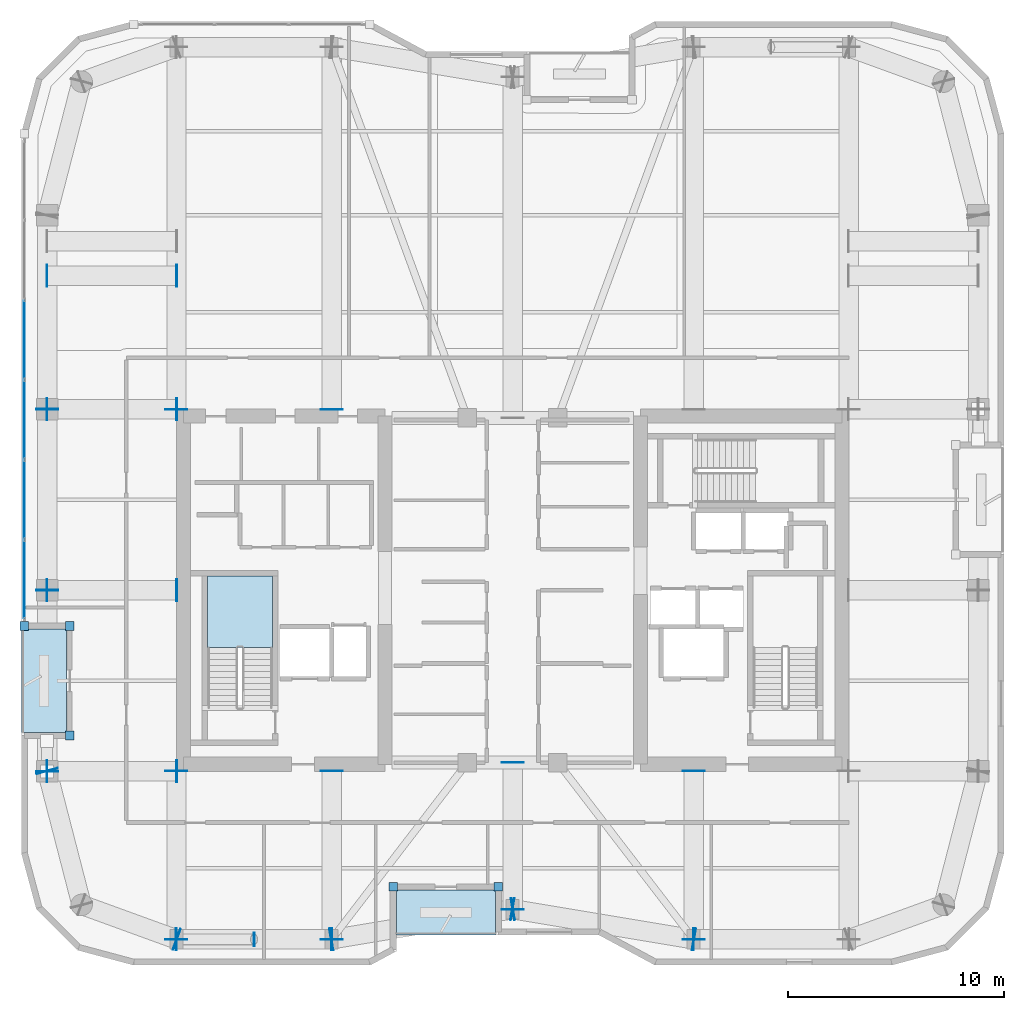
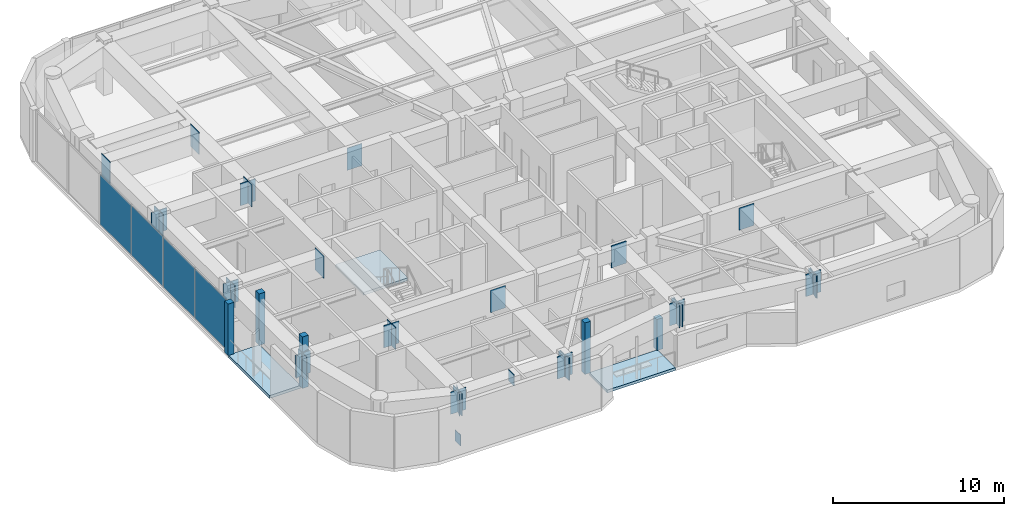
# One storey, part 12 of 21: 43 plates, 3 slabs, 2 elements without a shape of their own.
"""IFC4 building model written with IfcOpenShell, lengths in metres."""

import ifcopenshell
import ifcopenshell.guid

model = None  # the IFC model being written
_history = None  # IfcOwnerHistory: only IFC2X3 demands one
_inside = {}  # id of a spatial element -> (the spatial element, [elements in it])
_under = {}  # id of a project, library or spatial element -> (it, [spatial elements below it])
_declared = {}  # id of a project -> (the project, [libraries it declares])
_typed = {}  # id of a type object -> (the type object, [elements of that type])
_made_of = {}  # id of a material, layer set ... -> (it, [elements and type objects made of it])


def new_model(schema):
    """Start an empty IFC model of exactly this schema.

    Asked for "IFC4X3", IfcOpenShell would pick the latest addendum, in which some entities
    have other attributes; the version numbers below select the first issue.
    IFC2X3 requires an IfcOwnerHistory on every rooted entity: one is made here for all.
    """
    global model, _history
    if schema == "IFC4X3":
        model = ifcopenshell.file(schema_version=(4, 3, 0, 0))
    else:
        model = ifcopenshell.file(schema=schema)
    _inside.clear()
    _under.clear()
    _declared.clear()
    _typed.clear()
    _made_of.clear()
    _history = None
    if model.schema == "IFC2X3":
        org = make("IfcOrganization", Name="unknown")
        user = make(
            "IfcPersonAndOrganization",
            ThePerson=make("IfcPerson", FamilyName="unknown"),
            TheOrganization=org,
        )
        app = make(
            "IfcApplication",
            ApplicationDeveloper=org,
            Version="unknown",
            ApplicationFullName="unknown",
            ApplicationIdentifier="unknown",
        )
        _history = make(
            "IfcOwnerHistory",
            OwningUser=user,
            OwningApplication=app,
            ChangeAction="ADDED",
            CreationDate=0,
        )
    return model


def make(cls, **values):
    """One entity of the class cls with the attributes given. An attribute that is None is left unset."""
    return model.create_entity(
        cls, **{name: value for name, value in values.items() if value is not None}
    )


def rooted(cls, **values):
    """An entity with a GlobalId (a new one), such as an element, a storey or a relation."""
    return make(cls, GlobalId=ifcopenshell.guid.new(), OwnerHistory=_history, **values)


def si_unit(unit_type, name, prefix=None):
    """IfcSIUnit, for example si_unit("LENGTHUNIT", "METRE", prefix="MILLI")."""
    return make("IfcSIUnit", UnitType=unit_type, Prefix=prefix, Name=name)


def assignment(units):
    """IfcUnitAssignment: the units of a project."""
    return None if units is None else make("IfcUnitAssignment", Units=units)


def point(xyz):
    """IfcCartesianPoint."""
    return None if xyz is None else make("IfcCartesianPoint", Coordinates=xyz)


def direction(xyz):
    """IfcDirection."""
    return None if xyz is None else make("IfcDirection", DirectionRatios=xyz)


def frame(location, z_axis=None, x_axis=None):
    """IfcAxis2Placement3D, a coordinate frame: its origin and axes. An axis left out is left unset."""
    return make(
        "IfcAxis2Placement3D",
        Location=point(location),
        Axis=direction(z_axis),
        RefDirection=direction(x_axis),
    )


def frame_2d(location, x_axis=None):
    """IfcAxis2Placement2D, a coordinate frame in the plane: its origin and x axis."""
    return make(
        "IfcAxis2Placement2D", Location=point(location), RefDirection=direction(x_axis)
    )


def origin():
    """The frame at (0, 0, 0) with its axes left unset."""
    return frame((0.0, 0.0, 0.0))


def origin_2d():
    """The frame at (0, 0) in the plane with its x axis left unset."""
    return frame_2d((0.0, 0.0))


def place(relative_to, where):
    """IfcLocalPlacement: puts the frame where relative to a parent placement (None: the world)."""
    return make(
        "IfcLocalPlacement", PlacementRelTo=relative_to, RelativePlacement=where
    )


def context(
    kind, dimensions, precision=None, world=None, true_north=None, identifier=None
):
    """IfcGeometricRepresentationContext, for example the 3D "Model" context."""
    return make(
        "IfcGeometricRepresentationContext",
        ContextIdentifier=identifier,
        ContextType=kind,
        CoordinateSpaceDimension=dimensions,
        Precision=precision,
        WorldCoordinateSystem=world,
        TrueNorth=true_north,
    )


def subcontext(parent, identifier, kind, view, scale=None):
    """IfcGeometricRepresentationSubContext, for example "Body" below "Model"."""
    return make(
        "IfcGeometricRepresentationSubContext",
        ContextIdentifier=identifier,
        ContextType=kind,
        ParentContext=parent,
        TargetScale=scale,
        TargetView=view,
    )


def project(units=None, contexts=None):
    """IfcProject with its units and contexts."""
    return rooted(
        "IfcProject",
        Name="project",
        RepresentationContexts=contexts,
        UnitsInContext=assignment(units),
    )


def spatial(cls, under=None, at=None, **own):
    """A site, building, storey or space (cls), placed at a placement, below another one or the project."""
    s = rooted(cls, ObjectPlacement=at, **own)
    if under is not None:
        _under.setdefault(under.id(), (under, []))[1].append(s)
    return s


def polyline(points):
    """IfcPolyline through the points."""
    return make("IfcPolyline", Points=[point(p) for p in points])


def profile(cls, at=None, kind="AREA", **sizes):
    """A parametric profile (cls). Its sizes go by their IFC names, for example OverallWidth=200.0."""
    return make(cls, ProfileType=kind, Position=at, **sizes)


def rectangle(**sizes):
    """IfcRectangleProfileDef."""
    return profile("IfcRectangleProfileDef", **sizes)


def outline(outer, holes=None, kind="AREA"):
    """IfcArbitraryClosedProfileDef: a profile drawn as a closed curve; with holes, ...WithVoids."""
    if holes is None:
        return make("IfcArbitraryClosedProfileDef", ProfileType=kind, OuterCurve=outer)
    return make(
        "IfcArbitraryProfileDefWithVoids",
        ProfileType=kind,
        OuterCurve=outer,
        InnerCurves=holes,
    )


def extrude(swept, where, along, depth):
    """IfcExtrudedAreaSolid: the profile swept, set in the frame where, extruded along a direction by depth."""
    return make(
        "IfcExtrudedAreaSolid",
        SweptArea=swept,
        Position=where,
        ExtrudedDirection=direction(along),
        Depth=depth,
    )


def shape(context_of_items, identifier, shape_type, items):
    """IfcShapeRepresentation: the items that make up one representation, for example the "Body"."""
    return make(
        "IfcShapeRepresentation",
        ContextOfItems=context_of_items,
        RepresentationIdentifier=identifier,
        RepresentationType=shape_type,
        Items=items,
    )


def material(Name=None, Category=None):
    """IfcMaterial."""
    return make("IfcMaterial", Name=Name, Category=Category)


def layer(
    of_material, thickness, ventilated=None, Name=None, Category=None, Priority=None
):
    """IfcMaterialLayer: one layer of a wall or slab, of a material (None: an air gap)."""
    return make(
        "IfcMaterialLayer",
        Material=of_material,
        LayerThickness=thickness,
        IsVentilated=ventilated,
        Name=Name,
        Category=Category,
        Priority=Priority,
    )


def layer_set(layers, Name=None):
    """IfcMaterialLayerSet."""
    return make("IfcMaterialLayerSet", MaterialLayers=layers, LayerSetName=Name)


def made_of(thing, what):
    """Note that an element or type object is made of a material, layer set ...; save() writes the relation."""
    if what is not None:
        _made_of.setdefault(what.id(), (what, []))[1].append(thing)
    return thing


def type_object(cls, material=None, **own):
    """A type object (cls), such as IfcWallType, which elements share."""
    return made_of(rooted(cls, **own), material)


def element(
    cls,
    number,
    at=None,
    inside=None,
    cuts=None,
    type_object=None,
    material=None,
    context=None,
    identifier="Body",
    shape_type=None,
    held_by="IfcProductDefinitionShape",
    body=None,
    shapes=None,
    **own,
):
    """One element of the class cls, such as IfcWall. Its Tag is "e" and its number.

    at: its placement. inside: the storey or other place that contains it. cuts: it is an
    opening in that element (IfcRelVoidsElement). A single representation is given by context,
    identifier, shape_type and body (its items); several are given by shapes. held_by: the class
    of the entity that holds the representations. save() writes the other relations.
    """
    e = rooted(cls, Tag="e%d" % number, ObjectPlacement=at, **own)
    if body is not None:
        shapes = [shape(context, identifier, shape_type, body)]
    if shapes is not None:
        e.Representation = make(held_by, Representations=shapes)
    if inside is not None:
        _inside.setdefault(inside.id(), (inside, []))[1].append(e)
    if cuts is not None:
        rooted(
            "IfcRelVoidsElement", RelatingBuildingElement=cuts, RelatedOpeningElement=e
        )
    if type_object is not None:
        _typed.setdefault(type_object.id(), (type_object, []))[1].append(e)
    return made_of(e, material)


def aggregate(whole, parts):
    """IfcRelAggregates: a whole, such as a stair, and the parts it consists of."""
    return rooted("IfcRelAggregates", RelatingObject=whole, RelatedObjects=parts)


def save(model, path):
    """Write the relations noted so far, then the file.

    IfcRelAggregates (storeys below a building ...), IfcRelContainedInSpatialStructure (elements
    in a storey), IfcRelDefinesByType, IfcRelAssociatesMaterial and IfcRelDeclares: one each for
    every whole, place, type object, material and project.
    """
    for whole, parts in _under.values():
        aggregate(whole, parts)
    for where, things in _inside.values():
        rooted(
            "IfcRelContainedInSpatialStructure",
            RelatedElements=things,
            RelatingStructure=where,
        )
    for kind, things in _typed.values():
        rooted("IfcRelDefinesByType", RelatedObjects=things, RelatingType=kind)
    for what, things in _made_of.values():
        rooted("IfcRelAssociatesMaterial", RelatedObjects=things, RelatingMaterial=what)
    for by, libraries in _declared.values():
        rooted("IfcRelDeclares", RelatingContext=by, RelatedDefinitions=libraries)
    model.write(path)


model = new_model("IFC4")

# Units and contexts
model_context = context("Model", 3, precision=1e-05, world=origin(), true_north=direction((0.0, 1.0)))
body_context = subcontext(model_context, "Body", "Model", "MODEL_VIEW")
ifc_project = project(units=[si_unit("LENGTHUNIT", "METRE"), si_unit("AREAUNIT", "SQUARE_METRE"), si_unit("VOLUMEUNIT", "CUBIC_METRE"), si_unit("PLANEANGLEUNIT", "RADIAN"), si_unit("MASSUNIT", "GRAM", prefix="KILO")], contexts=[model_context])

# Site, building, storey
site_placement = place(None, origin())
site = spatial("IfcSite", under=ifc_project, at=site_placement, CompositionType="ELEMENT")
building_placement = place(site_placement, origin())
building = spatial("IfcBuilding", under=site, at=building_placement, Name="Kiyonajd Concourse Tower", CompositionType="ELEMENT")
storey_placement = place(building_placement, frame((0.0, 0.0, 251.10009765625)))
storey = spatial("IfcBuildingStorey", under=building, at=storey_placement, Name="L63", CompositionType="ELEMENT", Elevation=251.10009765625)

# Plates
ifc_material_1 = material(Name="Steel ASTM A572 Grade 50", Category="steel")
ifc_layer_1 = layer(ifc_material_1, 0.028076171875)
ifc_layer_set_1 = layer_set([ifc_layer_1], Name="Steel ASTM A572 Grade 50")
plate_type_1 = type_object("IfcPlateType", Name="PL-CAP-450", PredefinedType="USERDEFINED", material=ifc_layer_set_1)
for number, where, z_axis, x_axis, name in (
    (1, (32.3916015625, 19.800048828125, -0.109375), (0.0, 0.0, 1.0), (-1.0, 0.0, 0.0), "L63 Hollow Brace End Cap Plate PBS"),
    (2, (36.00830078125, 19.800048828125, 2.93505859375), (0.0, 0.0, 1.0), (1.0, 0.0, 0.0), "L63 Hollow Brace Top Cap Plate PBS"),
):
    element("IfcPlate", number, at=place(storey_placement, frame(where, z_axis=z_axis, x_axis=x_axis)), inside=storey, type_object=plate_type_1, Name=name, ObjectType="CAP PLATE", PredefinedType="USERDEFINED", context=body_context, shape_type="SweptSolid", body=[
        extrude(rectangle(XDim=0.035888671875, YDim=0.6279296875, at=origin_2d()), origin(), (0.0, 0.0, 1.0), 0.803955078125),
    ])
ifc_layer_2 = layer(ifc_material_1, 0.031982421875)
ifc_layer_set_2 = layer_set([ifc_layer_2], Name="Steel ASTM A572 Grade 50")
plate_type_2 = type_object("IfcPlateType", Name="PL-CAP-540", PredefinedType="USERDEFINED", material=ifc_layer_set_2)
for number, where, z_axis, x_axis, name in (
    (3, (26.388916015625, 50.60009765625, 2.15966796875), (0.0, 0.0, 1.0), (-1.0, 0.0, 0.0), "L63 Transfer Box Cap Plate"),
    (4, (32.410888671875, 50.60009765625, 2.15966796875), (0.0, 0.0, 1.0), (1.0, 0.0, 0.0), "L63 Transfer Box Cap Plate"),
    (5, (26.397216796875, 27.610595703125, 2.15966796875), (0.0, 0.0, 1.0), (-0.249873048837, 0.968278606324, 0.0), "L63 Welded Box Girder End Cap"),
    (6, (32.410400390625, 19.796142578125, 2.15966796875), (0.0, 0.0, 1.0), (0.939811951086, -0.341692107891, 0.0), "L63 Welded Box Girder End Cap"),
    (7, (32.388916015625, 19.800048828125, 2.15966796875), (0.0, 0.0, 1.0), (-1.0, 0.0, 0.0), "L63 Welded Box Girder End Cap"),
    (8, (39.611083984375, 19.800048828125, 2.15966796875), (0.0, 0.0, 1.0), (1.0, 0.0, 0.0), "L63 Welded Box Girder End Cap"),
    (9, (39.589111328125, 19.798095703125, 2.15966796875), (0.0, 0.0, 1.0), (-0.986400586142, -0.164359008451, 0.0), "L63 Welded Box Girder End Cap"),
    (10, (48.010986328125, 21.201904296875, 2.15966796875), (0.0, 0.0, 1.0), (0.986400586142, 0.164359008451, 0.0), "L63 Welded Box Girder End Cap"),
    (11, (47.989013671875, 21.201904296875, 2.15966796875), (0.0, 0.0, 1.0), (-0.986400586142, 0.164359008451, 0.0), "L63 Welded Box Girder End Cap"),
    (12, (56.410888671875, 19.798095703125, 2.15966796875), (0.0, 0.0, 1.0), (0.986400586142, -0.164359008451, 0.0), "L63 Welded Box Girder End Cap"),
    (13, (56.388916015625, 19.800048828125, 2.15966796875), (0.0, 0.0, 1.0), (-1.0, 0.0, 0.0), "L63 Welded Box Girder End Cap"),
    (14, (26.39990234375, 44.388916015625, 2.15966796875), (0.0, 0.0, 1.0), (0.0, -1.0, 0.0), "L63 Welded Box Girder End Cap"),
    (15, (26.39990234375, 44.410888671875, 2.15966796875), (0.0, 0.0, 1.0), (0.0, 1.0, 0.0), "L63 Welded Box Girder End Cap"),
    (16, (26.39990234375, 35.989013671875, 2.15966796875), (0.0, 0.0, 1.0), (0.0, -1.0, 0.0), "L63 Welded Box Girder End Cap"),
    (17, (26.39990234375, 36.010986328125, 2.15966796875), (0.0, 0.0, 1.0), (0.0, 1.0, 0.0), "L63 Welded Box Girder End Cap"),
    (18, (26.39990234375, 27.589111328125, 2.15966796875), (0.0, 0.0, 1.0), (0.0, -1.0, 0.0), "L63 Welded Box Girder End Cap"),
    (19, (32.39990234375, 19.7890625, 2.15966796875), (0.0, 0.0, 1.0), (0.0, -1.0, 0.0), "L63 Welded Box Girder End Cap"),
    (20, (32.39990234375, 27.611083984375, 2.15966796875), (0.0, 0.0, 1.0), (0.0, 1.0, 0.0), "L63 Welded Box Girder End Cap"),
    (21, (32.39990234375, 44.388916015625, 2.1396484375), (0.0, 0.0, 1.0), (0.0, -1.0, 0.0), "L63 Welded Box Girder End Cap"),
    (22, (39.60009765625, 19.7890625, 2.15966796875), (0.0, 0.0, 1.0), (0.0, -1.0, 0.0), "L63 Welded Box Girder End Cap"),
    (23, (39.60009765625, 27.611083984375, 2.15966796875), (0.0, 0.0, 1.0), (0.0, 1.0, 0.0), "L63 Welded Box Girder End Cap"),
    (24, (39.60009765625, 44.388916015625, 2.1396484375), (0.0, 0.0, 1.0), (0.0, -1.0, 0.0), "L63 Welded Box Girder End Cap"),
    (25, (56.39990234375, 19.7890625, 2.15966796875), (0.0, 0.0, 1.0), (0.0, -1.0, 0.0), "L63 Welded Box Girder End Cap"),
    (26, (56.39990234375, 27.611083984375, 2.15966796875), (0.0, 0.0, 1.0), (0.0, 1.0, 0.0), "L63 Welded Box Girder End Cap"),
    (27, (48.0, 21.18896484375, 2.15966796875), (0.0, 0.0, 1.0), (0.0, -1.0, 0.0), "L63 Welded Box Girder End Cap"),
    (28, (48.0, 28.010986328125, 2.15966796875), (0.0, 0.0, 1.0), (0.0, 1.0, 0.0), "L63 Welded Box Girder End Cap"),
    (29, (26.388916015625, 27.60009765625, 2.15966796875), (0.0, 0.0, 1.0), (-1.0, 0.0, 0.0), "L63 Welded Box Girder End Cap"),
    (30, (32.410888671875, 27.60009765625, 2.15966796875), (0.0, 0.0, 1.0), (1.0, 0.0, 0.0), "L63 Welded Box Girder End Cap"),
    (31, (26.388916015625, 36.0, 2.15966796875), (0.0, 0.0, 1.0), (-1.0, 0.0, 0.0), "L63 Welded Box Girder End Cap"),
    (32, (32.410888671875, 36.0, 2.15966796875), (0.0, 0.0, 1.0), (1.0, 0.0, 0.0), "L63 Welded Box Girder End Cap"),
    (33, (26.388916015625, 44.39990234375, 2.15966796875), (0.0, 0.0, 1.0), (-1.0, 0.0, 0.0), "L63 Welded Box Girder End Cap"),
    (34, (32.410888671875, 44.39990234375, 2.15966796875), (0.0, 0.0, 1.0), (1.0, 0.0, 0.0), "L63 Welded Box Girder End Cap"),
):
    element("IfcPlate", number, at=place(storey_placement, frame(where, z_axis=z_axis, x_axis=x_axis)), inside=storey, type_object=plate_type_2, Name=name, ObjectType="CAP PLATE", PredefinedType="USERDEFINED", context=body_context, shape_type="SweptSolid", body=[
        extrude(rectangle(XDim=0.035888671875, YDim=1.02001953125, at=origin_2d()), origin(), (0.0, 0.0, 1.0), 1.590087890625),
    ])

# Curtain wall, plates
ifc_material_2 = material(Name="Thermally Broken Anodised Aluminium", Category="aluminium")
ifc_layer_3 = layer(ifc_material_2, 0.179931640625)
ifc_layer_set_3 = layer_set([ifc_layer_3], Name="Thermally Broken Anodised Aluminium")
curtain_wall_type = type_object("IfcCurtainWallType", Name="CW-SYS-04", PredefinedType="NOTDEFINED", material=ifc_layer_set_3)
curtain_wall_placement = place(storey_placement, origin())
curtain_wall = element("IfcCurtainWall", 35, at=curtain_wall_placement, inside=storey, type_object=curtain_wall_type, Name="L63 Unitised Curtain Wall CW4", PredefinedType="NOTDEFINED")
ifc_material_3 = material(Name="Double Low-E Insulated Glass", Category="glass")
ifc_layer_4 = layer(ifc_material_3, 0.033935546875)
ifc_layer_set_4 = layer_set([ifc_layer_4], Name="Double Low-E Insulated Glass")
plate_type_3 = type_object("IfcPlateType", Name="PL-CW-VIS34", PredefinedType="CURTAIN_PANEL", material=ifc_layer_set_4)
plate_1_placement = place(storey_placement, frame((25.340087890625, 36.50146484375, 0.06494140625), z_axis=(0.0, 0.0, 1.0), x_axis=(0.0, 1.0, 0.0)))
plate_1 = element("IfcPlate", 36, at=plate_1_placement, type_object=plate_type_3, Name="CW4 panel 1.1", PredefinedType="CURTAIN_PANEL", context=body_context, shape_type="SweptSolid", body=[
    extrude(rectangle(XDim=3.61279296875, YDim=0.033935546875, at=origin_2d()), origin(), (0.0, 0.0, 1.0), 3.550048828125),
])
plate_2_placement = place(storey_placement, frame((25.340087890625, 40.1953125, 0.06494140625), z_axis=(0.0, 0.0, 1.0), x_axis=(0.0, 1.0, 0.0)))
plate_2 = element("IfcPlate", 37, at=plate_2_placement, type_object=plate_type_3, Name="CW4 panel 2.1", PredefinedType="CURTAIN_PANEL", context=body_context, shape_type="SweptSolid", body=[
    extrude(rectangle(XDim=3.645263671875, YDim=0.033935546875, at=origin_2d()), origin(), (0.0, 0.0, 1.0), 3.550048828125),
])
plate_3_placement = place(storey_placement, frame((25.340087890625, 43.90576171875, 0.06494140625), z_axis=(0.0, 0.0, 1.0), x_axis=(0.0, 1.0, 0.0)))
plate_3 = element("IfcPlate", 38, at=plate_3_placement, type_object=plate_type_3, Name="CW4 panel 3.1", PredefinedType="CURTAIN_PANEL", context=body_context, shape_type="SweptSolid", body=[
    extrude(rectangle(XDim=3.645263671875, YDim=0.033935546875, at=origin_2d()), origin(), (0.0, 0.0, 1.0), 3.550048828125),
])
plate_4_placement = place(storey_placement, frame((25.340087890625, 47.615966796875, 0.06494140625), z_axis=(0.0, 0.0, 1.0), x_axis=(0.0, 1.0, 0.0)))
plate_4 = element("IfcPlate", 39, at=plate_4_placement, type_object=plate_type_3, Name="CW4 panel 4.1", PredefinedType="CURTAIN_PANEL", context=body_context, shape_type="SweptSolid", body=[
    extrude(rectangle(XDim=3.645263671875, YDim=0.033935546875, at=origin_2d()), origin(), (0.0, 0.0, 1.0), 3.550048828125),
])
aggregate(curtain_wall, [plate_1, plate_2, plate_3, plate_4])

# Plates
ifc_layer_5 = layer(ifc_material_2, 0.39990234375)
ifc_layer_set_5 = layer_set([ifc_layer_5], Name="Thermally Broken Anodised Aluminium")
plate_type_4 = type_object("IfcPlateType", Name="PL-JMB-400", PredefinedType="USERDEFINED", material=ifc_layer_set_5)
for number, where, z_axis, x_axis, name in (
    (40, (27.43994140625, 29.260009765625, 0.0), (0.0, 0.0, 1.0), (1.0, 0.0, 0.0), "L63 Facade Jamb Closure Plate 01"),
    (41, (27.43994140625, 34.340087890625, 0.0), (0.0, 0.0, 1.0), (1.0, 0.0, 0.0), "L63 Facade Jamb Closure Plate 02"),
    (42, (25.340087890625, 34.340087890625, 0.0), (0.0, 0.0, 1.0), (1.0, 0.0, 0.0), "L63 Facade Jamb Closure Plate 03"),
):
    element("IfcPlate", number, at=place(storey_placement, frame(where, z_axis=z_axis, x_axis=x_axis)), inside=storey, type_object=plate_type_4, Name=name, ObjectType="JAMB PLATE", PredefinedType="USERDEFINED", context=body_context, shape_type="SweptSolid", body=[
        extrude(rectangle(XDim=0.39990234375, YDim=0.39990234375, at=origin_2d()), origin(), (0.0, 0.0, 1.0), 3.679931640625),
    ])
plate_5_placement = place(storey_placement, frame((47.340087890625, 22.239990234375, 0.0), z_axis=(0.0, 0.0, 1.0), x_axis=(1.0, 0.0, 0.0)))
element("IfcPlate", 43, at=plate_5_placement, inside=storey, type_object=plate_type_4, Name="L63 Facade Jamb Closure Plate 11", ObjectType="JAMB PLATE", PredefinedType="USERDEFINED", context=body_context, shape_type="SweptSolid", body=[
    extrude(rectangle(XDim=0.39990234375, YDim=0.39990234375, at=origin_2d()), origin(), (0.0, 0.0, 1.0), 2.215087890625),
])
plate_6_placement = place(storey_placement, frame((42.4599609375, 22.239990234375, 0.0), z_axis=(0.0, 0.0, 1.0), x_axis=(1.0, 0.0, 0.0)))
element("IfcPlate", 44, at=plate_6_placement, inside=storey, type_object=plate_type_4, Name="L63 Facade Jamb Closure Plate 12", ObjectType="JAMB PLATE", PredefinedType="USERDEFINED", context=body_context, shape_type="SweptSolid", body=[
    extrude(rectangle(XDim=0.39990234375, YDim=0.39990234375, at=origin_2d()), origin(), (0.0, 0.0, 1.0), 3.679931640625),
])

# Stair, slab
ifc_material_4 = material(Name="Concrete C40/50", Category="concrete")
stair_type = type_object("IfcStairType", Name="ST-DLG-22R", PredefinedType="HALF_TURN_STAIR", material=ifc_material_4)
stair_placement = place(storey_placement, origin())
stair = element("IfcStair", 45, at=stair_placement, inside=storey, type_object=stair_type, Name="L63 Protected Exit Stair ST1", PredefinedType="HALF_TURN_STAIR")
ifc_layer_6 = layer(ifc_material_4, 0.199951171875)
ifc_layer_set_6 = layer_set([ifc_layer_6], Name="Concrete C40/50")
slab_type_1 = type_object("IfcSlabType", Name="SL-LND-200", PredefinedType="LANDING", material=ifc_layer_set_6)
slab_1_placement = place(storey_placement, frame((0.0, 0.0, 1.75)))
slab_1 = element("IfcSlab", 46, at=slab_1_placement, type_object=slab_type_1, Name="ST1 landing 1", PredefinedType="LANDING", context=body_context, shape_type="SweptSolid", body=[
    extrude(outline(polyline([(36.85009765625, 33.35009765625), (36.85009765625, 36.64990234375), (33.85009765625, 36.64990234375), (33.85009765625, 33.35009765625), (36.85009765625, 33.35009765625)])), origin(), (0.0, 0.0, 1.0), 0.199951171875),
])
aggregate(stair, [slab_1])

# Slabs
ifc_material_5 = material(Name="Precast concrete C50/60", Category="concrete")
ifc_layer_7 = layer(ifc_material_5, 0.199951171875)
ifc_layer_set_7 = layer_set([ifc_layer_7], Name="Precast concrete C50/60")
slab_type_2 = type_object("IfcSlabType", Name="SL-LOG-200", PredefinedType="FLOOR", material=ifc_layer_set_7)
slab_2_placement = place(storey_placement, frame((0.0, 0.0, -0.2001953125)))
element("IfcSlab", 47, at=slab_2_placement, inside=storey, type_object=slab_type_2, Name="L63 Recessed Engawa Loggia Terrace Slab LOG-S", PredefinedType="FLOOR", context=body_context, shape_type="SweptSolid", body=[
    extrude(outline(polyline([(42.60009765625, 20.0), (47.199951171875, 20.0), (47.199951171875, 22.10009765625), (42.60009765625, 22.10009765625), (42.60009765625, 20.0)])), origin(), (0.0, 0.0, 1.0), 0.2001953125),
])
slab_3_placement = place(storey_placement, frame((0.0, 0.0, -0.2001953125)))
element("IfcSlab", 48, at=slab_3_placement, inside=storey, type_object=slab_type_2, Name="L63 Recessed Engawa Loggia Terrace Slab LOG-W", PredefinedType="FLOOR", context=body_context, shape_type="SweptSolid", body=[
    extrude(outline(polyline([(25.199951171875, 29.39990234375), (27.300048828125, 29.39990234375), (27.300048828125, 34.199951171875), (25.199951171875, 34.199951171875), (25.199951171875, 29.39990234375)])), origin(), (0.0, 0.0, 1.0), 0.2001953125),
])

save(model, "model.ifc")
